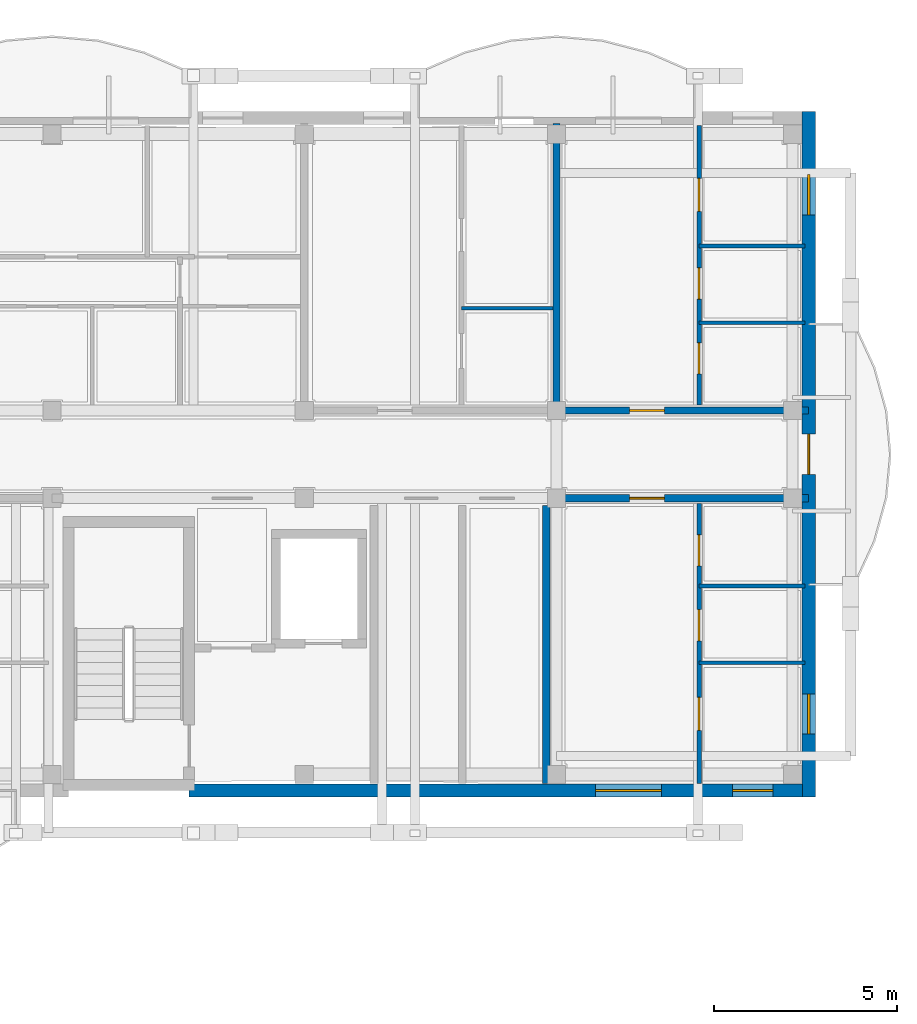
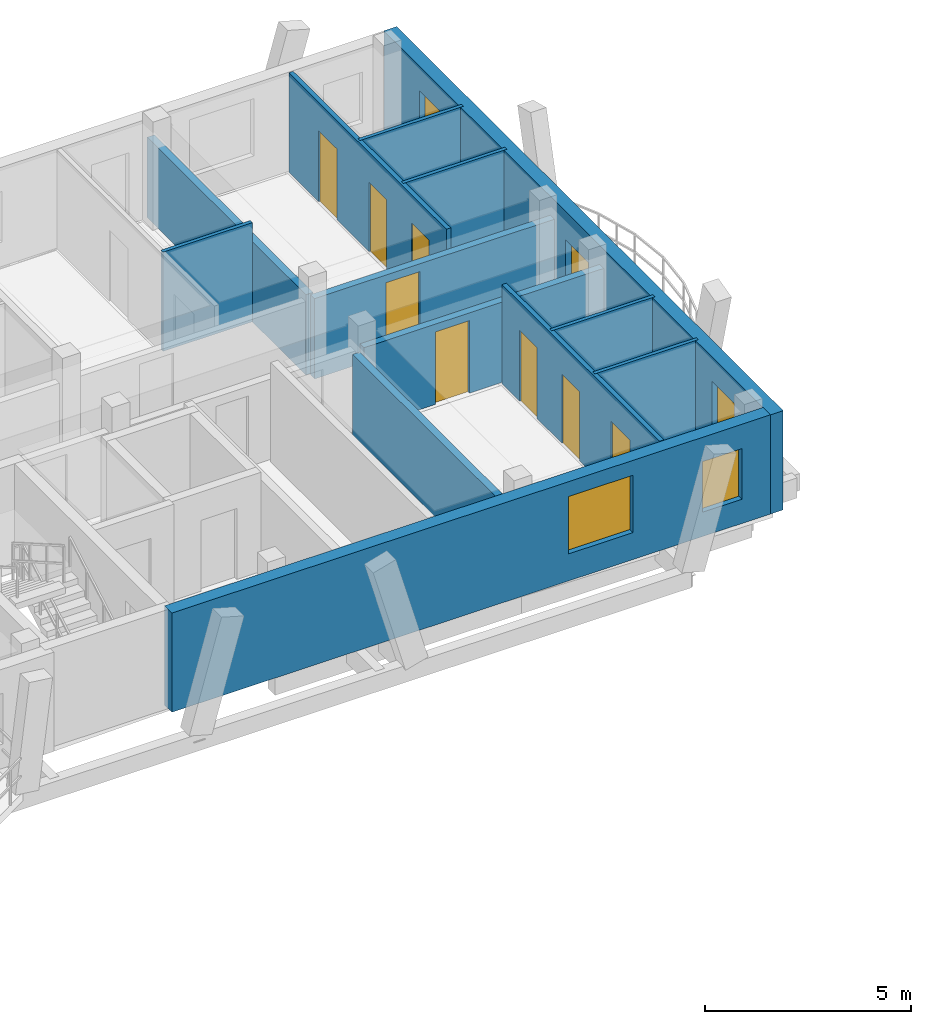
# One storey, part 85 of 109: 13 walls, 9 doors, 4 windows, 13 openings.
"""IFC4 building model written with IfcOpenShell, lengths in metres."""

from ifc_helpers import new_model, si_unit, direction, frame, frame_2d, origin, origin_with_axes, place, context, subcontext, project, spatial, rectangle, extrude, material, layer, layer_set, type_object, element, fill, save


model = new_model("IFC4")

# Units and contexts
model_context = context("Model", 3, precision=1e-05, world=origin(), true_north=direction((0.0, 1.0)))
body_context = subcontext(model_context, "Body", "Model", "MODEL_VIEW")
ifc_project = project(units=[si_unit("LENGTHUNIT", "METRE"), si_unit("AREAUNIT", "SQUARE_METRE"), si_unit("VOLUMEUNIT", "CUBIC_METRE"), si_unit("PLANEANGLEUNIT", "RADIAN"), si_unit("MASSUNIT", "GRAM", prefix="KILO")], contexts=[model_context])

# Site, building, storey
site_placement = place(None, origin())
site = spatial("IfcSite", under=ifc_project, at=site_placement, CompositionType="ELEMENT")
building_placement = place(site_placement, origin())
building = spatial("IfcBuilding", under=site, at=building_placement, Name="Zavelmont Quarter", CompositionType="ELEMENT")
storey_placement = place(building_placement, frame((0.0, 0.0, 8.0)))
storey = spatial("IfcBuildingStorey", under=building, at=storey_placement, Name="L02", CompositionType="ELEMENT", Elevation=8.0)

# Wall, openings, windows
ifc_material_1 = material(Name="Natural Belgian limestone", Category="masonry")
ifc_layer_1 = layer(ifc_material_1, 0.360107421875)
ifc_layer_set_1 = layer_set([ifc_layer_1], Name="Natural Belgian limestone")
wall_type_1 = type_object("IfcWallType", Name="EW02", PredefinedType="STANDARD", material=ifc_layer_set_1)
wall_1_placement = place(storey_placement, frame((151.050048828125, 97.60009765625, 0.0), z_axis=(0.0, 0.0, 1.0), x_axis=(1.0, 0.0, 0.0)))
wall_1 = element("IfcWall", 1, at=wall_1_placement, inside=storey, type_object=wall_type_1, Name="L02 exterior limestone wall EW02", PredefinedType="STANDARD", context=body_context, shape_type="SweptSolid", body=[
    extrude(rectangle(XDim=16.780029296875, YDim=0.360107421875, at=frame_2d((8.39013671875, 0.0))), origin(), (0.0, 0.0, 1.0), 2.93994140625),
])
opening_1_placement = place(wall_1_placement, frame((11.1201171875, 0.0, 0.800048828125)))
opening_1 = element("IfcOpeningElement", 2, at=opening_1_placement, cuts=wall_1, Name="Opening WN02", PredefinedType="OPENING", context=body_context, shape_type="SweptSolid", body=[
    extrude(rectangle(XDim=1.800048828125, YDim=1.699951171875, at=frame_2d((0.89990234375, 0.85009765625))), frame((0.0, 0.19189453125, 0.0), z_axis=(0.0, -1.0, 0.0), x_axis=(1.0, 0.0, 0.0)), (0.0, 0.0, 1.0), 0.384033203125),
])
opening_2_placement = place(wall_1_placement, frame((14.8701171875, 0.0, 0.719970703125)))
opening_2 = element("IfcOpeningElement", 3, at=opening_2_placement, cuts=wall_1, Name="Opening WN09", PredefinedType="OPENING", context=body_context, shape_type="SweptSolid", body=[
    extrude(rectangle(XDim=1.10009765625, YDim=1.5, at=frame_2d((0.550048828125, 0.75))), frame((0.0, 0.19189453125, 0.0), z_axis=(0.0, -1.0, 0.0), x_axis=(1.0, 0.0, 0.0)), (0.0, 0.0, 1.0), 0.384033203125),
])
ifc_material_2 = material(Name="Double low-E insulated glazing in thermally broken aluminium frame", Category="aluminium")
window_type_1 = type_object("IfcWindowType", Name="WN02", PartitioningType="SINGLE_PANEL", PredefinedType="WINDOW", material=ifc_material_2)
window_1_placement = place(opening_1_placement, origin_with_axes())
window_1 = element("IfcWindow", 4, at=window_1_placement, inside=storey, type_object=window_type_1, Name="L02 window WN02", OverallHeight=1.699951171875, OverallWidth=1.800048828125, PartitioningType="SINGLE_PANEL", PredefinedType="WINDOW", context=body_context, shape_type="SweptSolid", body=[
    extrude(rectangle(XDim=1.800048828125, YDim=1.699951171875, at=frame_2d((0.89990234375, 0.85009765625))), frame((0.0, 0.030029296875, 0.0), z_axis=(0.0, -1.0, 0.0), x_axis=(1.0, 0.0, 0.0)), (0.0, 0.0, 1.0), 0.06005859375),
])
fill(opening_1, window_1)
window_type_2 = type_object("IfcWindowType", Name="WN09", PartitioningType="SINGLE_PANEL", PredefinedType="WINDOW", material=ifc_material_2)
window_2_placement = place(opening_2_placement, origin_with_axes())
window_2 = element("IfcWindow", 5, at=window_2_placement, inside=storey, type_object=window_type_2, Name="L02 window WN09", OverallHeight=1.5, OverallWidth=1.10009765625, PartitioningType="SINGLE_PANEL", PredefinedType="WINDOW", context=body_context, shape_type="SweptSolid", body=[
    extrude(rectangle(XDim=1.10009765625, YDim=1.5, at=frame_2d((0.550048828125, 0.75))), frame((0.0, 0.030029296875, 0.0), z_axis=(0.0, -1.0, 0.0), x_axis=(1.0, 0.0, 0.0)), (0.0, 0.0, 1.0), 0.06005859375),
])
fill(opening_2, window_2)

# Wall, openings, door, windows
wall_2_placement = place(storey_placement, frame((168.0, 97.419921875, 0.0), z_axis=(0.0, 0.0, 1.0), x_axis=(0.0, 1.0, 0.0)))
wall_2 = element("IfcWall", 6, at=wall_2_placement, inside=storey, type_object=wall_type_1, Name="L02 exterior limestone wall EW02", PredefinedType="STANDARD", context=body_context, shape_type="SweptSolid", body=[
    extrude(rectangle(XDim=18.760009765625, YDim=0.360107421875, at=frame_2d((9.3798828125, 0.0))), origin(), (0.0, 0.0, 1.0), 2.93994140625),
])
opening_3_placement = place(wall_2_placement, frame((8.830078125, 0.0, 0.0)))
opening_3 = element("IfcOpeningElement", 7, at=opening_3_placement, cuts=wall_2, Name="Opening DR04B", PredefinedType="OPENING", context=body_context, shape_type="SweptSolid", body=[
    extrude(rectangle(XDim=1.10009765625, YDim=2.10009765625, at=frame_2d((0.550048828125, 1.050048828125))), frame((0.0, 0.19189453125, 0.0), z_axis=(0.0, -1.0, 0.0), x_axis=(1.0, 0.0, 0.0)), (0.0, 0.0, 1.0), 0.384033203125),
])
opening_4_placement = place(wall_2_placement, frame((1.72998046875, 0.0, 0.719970703125)))
opening_4 = element("IfcOpeningElement", 8, at=opening_4_placement, cuts=wall_2, Name="Opening WN09", PredefinedType="OPENING", context=body_context, shape_type="SweptSolid", body=[
    extrude(rectangle(XDim=1.10009765625, YDim=1.5, at=frame_2d((0.550048828125, 0.75))), frame((0.0, 0.19189453125, 0.0), z_axis=(0.0, -1.0, 0.0), x_axis=(1.0, 0.0, 0.0)), (0.0, 0.0, 1.0), 0.384033203125),
])
opening_5_placement = place(wall_2_placement, frame((15.929931640625, 0.0, 0.719970703125)))
opening_5 = element("IfcOpeningElement", 9, at=opening_5_placement, cuts=wall_2, Name="Opening WN09", PredefinedType="OPENING", context=body_context, shape_type="SweptSolid", body=[
    extrude(rectangle(XDim=1.10009765625, YDim=1.5, at=frame_2d((0.550048828125, 0.75))), frame((0.0, 0.19189453125, 0.0), z_axis=(0.0, -1.0, 0.0), x_axis=(1.0, 0.0, 0.0)), (0.0, 0.0, 1.0), 0.384033203125),
])
ifc_material_3 = material(Name="Thermally broken aluminium and double safety glass", Category="aluminium")
door_type_1 = type_object("IfcDoorType", Name="DR04B", OperationType="NOTDEFINED", PredefinedType="DOOR", material=ifc_material_3)
door_1_placement = place(opening_3_placement, origin_with_axes())
door_1 = element("IfcDoor", 10, at=door_1_placement, inside=storey, type_object=door_type_1, Name="Block C L02 terrace or vase balcony door", OperationType="SINGLE_SWING_LEFT", OverallHeight=2.10009765625, OverallWidth=1.10009765625, PredefinedType="DOOR", context=body_context, shape_type="SweptSolid", body=[
    extrude(rectangle(XDim=1.10009765625, YDim=2.10009765625, at=frame_2d((0.550048828125, 1.050048828125))), frame((0.0, 0.02490234375, 0.0), z_axis=(0.0, -1.0, 0.0), x_axis=(1.0, 0.0, 0.0)), (0.0, 0.0, 1.0), 0.050048828125),
])
fill(opening_3, door_1)
window_3_placement = place(opening_4_placement, origin_with_axes())
window_3 = element("IfcWindow", 11, at=window_3_placement, inside=storey, type_object=window_type_2, Name="L02 window WN09", OverallHeight=1.5, OverallWidth=1.10009765625, PartitioningType="SINGLE_PANEL", PredefinedType="WINDOW", context=body_context, shape_type="SweptSolid", body=[
    extrude(rectangle(XDim=1.10009765625, YDim=1.5, at=frame_2d((0.550048828125, 0.75))), frame((0.0, 0.030029296875, 0.0), z_axis=(0.0, -1.0, 0.0), x_axis=(1.0, 0.0, 0.0)), (0.0, 0.0, 1.0), 0.06005859375),
])
fill(opening_4, window_3)
window_4_placement = place(opening_5_placement, origin_with_axes())
window_4 = element("IfcWindow", 12, at=window_4_placement, inside=storey, type_object=window_type_2, Name="L02 window WN09", OverallHeight=1.5, OverallWidth=1.10009765625, PartitioningType="SINGLE_PANEL", PredefinedType="WINDOW", context=body_context, shape_type="SweptSolid", body=[
    extrude(rectangle(XDim=1.10009765625, YDim=1.5, at=frame_2d((0.550048828125, 0.75))), frame((0.0, 0.030029296875, 0.0), z_axis=(0.0, -1.0, 0.0), x_axis=(1.0, 0.0, 0.0)), (0.0, 0.0, 1.0), 0.06005859375),
])
fill(opening_5, window_4)

# Walls
ifc_material_4 = material(Name="Calcium-silicate blockwork and acoustic plaster", Category="masonry")
ifc_layer_2 = layer(ifc_material_4, 0.199951171875)
ifc_layer_set_2 = layer_set([ifc_layer_2], Name="Calcium-silicate blockwork and acoustic plaster")
wall_type_2 = type_object("IfcWallType", Name="IW01", PredefinedType="PARTITIONING", material=ifc_layer_set_2)
wall_3_placement = place(storey_placement, frame((160.820068359375, 97.800048828125, 0.0), z_axis=(0.0, 0.0, 1.0), x_axis=(0.0, 1.0, 0.0)))
element("IfcWall", 13, at=wall_3_placement, inside=storey, type_object=wall_type_2, Name="L02 Core service end wall IW01", PredefinedType="PARTITIONING", context=body_context, shape_type="SweptSolid", body=[
    extrude(rectangle(XDim=7.599853515625, YDim=0.199951171875, at=frame_2d((3.7998046875, 0.0))), origin(), (0.0, 0.0, 1.0), 2.3798828125),
])
wall_4_placement = place(storey_placement, frame((161.10009765625, 108.14990234375, 0.0), z_axis=(0.0, 0.0, 1.0), x_axis=(0.0, 1.0, 0.0)))
element("IfcWall", 14, at=wall_4_placement, inside=storey, type_object=wall_type_2, Name="L02 Inter-dwelling compartment wall IW01", PredefinedType="PARTITIONING", context=body_context, shape_type="SweptSolid", body=[
    extrude(rectangle(XDim=7.7001953125, YDim=0.199951171875, at=frame_2d((3.85009765625, 0.0))), origin(), (0.0, 0.0, 1.0), 2.3798828125),
])

# Wall, opening, door
wall_5_placement = place(storey_placement, frame((161.10009765625, 108.0, 0.0), z_axis=(0.0, 0.0, 1.0), x_axis=(1.0, 0.0, 0.0)))
wall_5 = element("IfcWall", 15, at=wall_5_placement, inside=storey, type_object=wall_type_2, Name="L02 Corridor compartment wall IW01", PredefinedType="PARTITIONING", context=body_context, shape_type="SweptSolid", body=[
    extrude(rectangle(XDim=6.89990234375, YDim=0.199951171875, at=frame_2d((3.449951171875, 0.0))), origin(), (0.0, 0.0, 1.0), 2.3798828125),
])
opening_6_placement = place(wall_5_placement, frame((2.0, 0.0, 0.0)))
opening_6 = element("IfcOpeningElement", 16, at=opening_6_placement, cuts=wall_5, Name="Opening DR02", PredefinedType="OPENING", context=body_context, shape_type="SweptSolid", body=[
    extrude(rectangle(XDim=0.949951171875, YDim=2.14990234375, at=frame_2d((0.47509765625, 1.074951171875))), frame((0.0, 0.11181640625, 0.0), z_axis=(0.0, -1.0, 0.0), x_axis=(1.0, 0.0, 0.0)), (0.0, 0.0, 1.0), 0.223876953125),
])
ifc_material_5 = material(Name="Solid-core oak fire leaf in steel frame", Category="steel")
door_type_2 = type_object("IfcDoorType", Name="DR02", OperationType="NOTDEFINED", PredefinedType="DOOR", material=ifc_material_5)
door_2_placement = place(opening_6_placement, origin_with_axes())
door_2 = element("IfcDoor", 17, at=door_2_placement, inside=storey, type_object=door_type_2, Name="L02 door DR02", OperationType="SINGLE_SWING_LEFT", OverallHeight=2.14990234375, OverallWidth=0.949951171875, PredefinedType="DOOR", context=body_context, shape_type="SweptSolid", body=[
    extrude(rectangle(XDim=0.949951171875, YDim=2.14990234375, at=frame_2d((0.47509765625, 1.074951171875))), frame((0.0, 0.02490234375, 0.0), z_axis=(0.0, -1.0, 0.0), x_axis=(1.0, 0.0, 0.0)), (0.0, 0.0, 1.0), 0.050048828125),
])
fill(opening_6, door_2)

wall_6_placement = place(storey_placement, frame((161.10009765625, 105.60009765625, 0.0), z_axis=(0.0, 0.0, 1.0), x_axis=(1.0, 0.0, 0.0)))
wall_6 = element("IfcWall", 18, at=wall_6_placement, inside=storey, type_object=wall_type_2, Name="L02 Corridor compartment wall IW01", PredefinedType="PARTITIONING", context=body_context, shape_type="SweptSolid", body=[
    extrude(rectangle(XDim=6.89990234375, YDim=0.199951171875, at=frame_2d((3.449951171875, 0.0))), origin(), (0.0, 0.0, 1.0), 2.3798828125),
])
opening_7_placement = place(wall_6_placement, frame((2.0, 0.0, 0.0)))
opening_7 = element("IfcOpeningElement", 19, at=opening_7_placement, cuts=wall_6, Name="Opening DR02", PredefinedType="OPENING", context=body_context, shape_type="SweptSolid", body=[
    extrude(rectangle(XDim=0.949951171875, YDim=2.14990234375, at=frame_2d((0.47509765625, 1.074951171875))), frame((0.0, 0.11181640625, 0.0), z_axis=(0.0, -1.0, 0.0), x_axis=(1.0, 0.0, 0.0)), (0.0, 0.0, 1.0), 0.223876953125),
])
door_3_placement = place(opening_7_placement, frame((0.949951171875, 0.0, 0.0), z_axis=(0.0, 0.0, 1.0), x_axis=(-1.0, 0.0, 0.0)))
door_3 = element("IfcDoor", 20, at=door_3_placement, inside=storey, type_object=door_type_2, Name="L02 door DR02", OperationType="SINGLE_SWING_RIGHT", OverallHeight=2.14990234375, OverallWidth=0.949951171875, PredefinedType="DOOR", context=body_context, shape_type="SweptSolid", body=[
    extrude(rectangle(XDim=0.949951171875, YDim=2.14990234375, at=frame_2d((0.47509765625, 1.074951171875))), frame((0.0, 0.02490234375, 0.0), z_axis=(0.0, -1.0, 0.0), x_axis=(1.0, 0.0, 0.0)), (0.0, 0.0, 1.0), 0.050048828125),
])
fill(opening_7, door_3)

# Wall, openings, doors
ifc_material_6 = material(Name="Double gypsum board on acoustic steel stud", Category="steel")
ifc_layer_3 = layer(ifc_material_6, 0.125)
ifc_layer_set_3 = layer_set([ifc_layer_3], Name="Double gypsum board on acoustic steel stud")
wall_type_3 = type_object("IfcWallType", Name="IW03", PredefinedType="PARTITIONING", material=ifc_layer_set_3)
wall_7_placement = place(storey_placement, frame((165.0, 108.14990234375, 0.0), z_axis=(0.0, 0.0, 1.0), x_axis=(0.0, 1.0, 0.0)))
wall_7 = element("IfcWall", 21, at=wall_7_placement, inside=storey, type_object=wall_type_3, Name="L02 Partition IW03", PredefinedType="PARTITIONING", context=body_context, shape_type="SweptSolid", body=[
    extrude(rectangle(XDim=7.650146484375, YDim=0.125, at=frame_2d((3.8251953125, 0.0))), origin(), (0.0, 0.0, 1.0), 2.93994140625),
])
opening_8_placement = place(wall_7_placement, frame((0.85009765625, 0.0, 0.0)))
opening_8 = element("IfcOpeningElement", 22, at=opening_8_placement, cuts=wall_7, Name="Opening DR16", PredefinedType="OPENING", context=body_context, shape_type="SweptSolid", body=[
    extrude(rectangle(XDim=0.85009765625, YDim=2.10009765625, at=frame_2d((0.425048828125, 1.050048828125))), frame((0.0, 0.074462890625, 0.0), z_axis=(0.0, -1.0, 0.0), x_axis=(1.0, 0.0, 0.0)), (0.0, 0.0, 1.0), 0.14892578125),
])
opening_9_placement = place(wall_7_placement, frame((2.89990234375, 0.0, 0.0)))
opening_9 = element("IfcOpeningElement", 23, at=opening_9_placement, cuts=wall_7, Name="Opening DR06", PredefinedType="OPENING", context=body_context, shape_type="SweptSolid", body=[
    extrude(rectangle(XDim=0.85009765625, YDim=2.050048828125, at=frame_2d((0.425048828125, 1.02490234375))), frame((0.0, 0.074462890625, 0.0), z_axis=(0.0, -1.0, 0.0), x_axis=(1.0, 0.0, 0.0)), (0.0, 0.0, 1.0), 0.14892578125),
])
opening_10_placement = place(wall_7_placement, frame((5.300048828125, 0.0, 0.0)))
opening_10 = element("IfcOpeningElement", 24, at=opening_10_placement, cuts=wall_7, Name="Opening DR05", PredefinedType="OPENING", context=body_context, shape_type="SweptSolid", body=[
    extrude(rectangle(XDim=0.89990234375, YDim=2.10009765625, at=frame_2d((0.449951171875, 1.050048828125))), frame((0.0, 0.074462890625, 0.0), z_axis=(0.0, -1.0, 0.0), x_axis=(1.0, 0.0, 0.0)), (0.0, 0.0, 1.0), 0.14892578125),
])
ifc_material_7 = material(Name="Engineered oak flush interior door")
door_type_3 = type_object("IfcDoorType", Name="DR05", OperationType="NOTDEFINED", PredefinedType="DOOR", material=ifc_material_7)
door_4_placement = place(opening_10_placement, origin_with_axes())
door_4 = element("IfcDoor", 25, at=door_4_placement, inside=storey, type_object=door_type_3, Name="L02 door DR05", OperationType="SINGLE_SWING_LEFT", OverallHeight=2.10009765625, OverallWidth=0.89990234375, PredefinedType="DOOR", context=body_context, shape_type="SweptSolid", body=[
    extrude(rectangle(XDim=0.89990234375, YDim=2.10009765625, at=frame_2d((0.449951171875, 1.050048828125))), frame((0.0, 0.02490234375, 0.0), z_axis=(0.0, -1.0, 0.0), x_axis=(1.0, 0.0, 0.0)), (0.0, 0.0, 1.0), 0.050048828125),
])
fill(opening_10, door_4)
ifc_material_8 = material(Name="Moisture-resistant painted wet-room door")
door_type_4 = type_object("IfcDoorType", Name="DR06", OperationType="NOTDEFINED", PredefinedType="DOOR", material=ifc_material_8)
door_5_placement = place(opening_9_placement, frame((0.85009765625, 0.0, 0.0), z_axis=(0.0, 0.0, 1.0), x_axis=(-1.0, 0.0, 0.0)))
door_5 = element("IfcDoor", 26, at=door_5_placement, inside=storey, type_object=door_type_4, Name="L02 door DR06", OperationType="SINGLE_SWING_RIGHT", OverallHeight=2.050048828125, OverallWidth=0.85009765625, PredefinedType="DOOR", context=body_context, shape_type="SweptSolid", body=[
    extrude(rectangle(XDim=0.85009765625, YDim=2.050048828125, at=frame_2d((0.425048828125, 1.02490234375))), frame((0.0, 0.02490234375, 0.0), z_axis=(0.0, -1.0, 0.0), x_axis=(1.0, 0.0, 0.0)), (0.0, 0.0, 1.0), 0.050048828125),
])
fill(opening_9, door_5)
door_type_5 = type_object("IfcDoorType", Name="DR16", OperationType="NOTDEFINED", PredefinedType="DOOR", material=ifc_material_7)
door_6_placement = place(opening_8_placement, origin_with_axes())
door_6 = element("IfcDoor", 27, at=door_6_placement, inside=storey, type_object=door_type_5, Name="L02 door DR16", OperationType="SINGLE_SWING_LEFT", OverallHeight=2.10009765625, OverallWidth=0.85009765625, PredefinedType="DOOR", context=body_context, shape_type="SweptSolid", body=[
    extrude(rectangle(XDim=0.85009765625, YDim=2.10009765625, at=frame_2d((0.425048828125, 1.050048828125))), frame((0.0, 0.02490234375, 0.0), z_axis=(0.0, -1.0, 0.0), x_axis=(1.0, 0.0, 0.0)), (0.0, 0.0, 1.0), 0.050048828125),
])
fill(opening_8, door_6)

wall_8_placement = place(storey_placement, frame((165.0, 105.449951171875, 0.0), z_axis=(0.0, 0.0, 1.0), x_axis=(0.0, -1.0, 0.0)))
wall_8 = element("IfcWall", 28, at=wall_8_placement, inside=storey, type_object=wall_type_3, Name="L02 Partition IW03", PredefinedType="PARTITIONING", context=body_context, shape_type="SweptSolid", body=[
    extrude(rectangle(XDim=7.64990234375, YDim=0.125, at=frame_2d((3.824951171875, 0.0))), origin(), (0.0, 0.0, 1.0), 2.93994140625),
])
opening_11_placement = place(wall_8_placement, frame((0.85009765625, 0.0, 0.0)))
opening_11 = element("IfcOpeningElement", 29, at=opening_11_placement, cuts=wall_8, Name="Opening DR16", PredefinedType="OPENING", context=body_context, shape_type="SweptSolid", body=[
    extrude(rectangle(XDim=0.85009765625, YDim=2.10009765625, at=frame_2d((0.425048828125, 1.050048828125))), frame((0.0, 0.074462890625, 0.0), z_axis=(0.0, -1.0, 0.0), x_axis=(1.0, 0.0, 0.0)), (0.0, 0.0, 1.0), 0.14892578125),
])
opening_12_placement = place(wall_8_placement, frame((2.89990234375, 0.0, 0.0)))
opening_12 = element("IfcOpeningElement", 30, at=opening_12_placement, cuts=wall_8, Name="Opening DR06", PredefinedType="OPENING", context=body_context, shape_type="SweptSolid", body=[
    extrude(rectangle(XDim=0.85009765625, YDim=2.050048828125, at=frame_2d((0.425048828125, 1.02490234375))), frame((0.0, 0.074462890625, 0.0), z_axis=(0.0, -1.0, 0.0), x_axis=(1.0, 0.0, 0.0)), (0.0, 0.0, 1.0), 0.14892578125),
])
opening_13_placement = place(wall_8_placement, frame((5.300048828125, 0.0, 0.0)))
opening_13 = element("IfcOpeningElement", 31, at=opening_13_placement, cuts=wall_8, Name="Opening DR05", PredefinedType="OPENING", context=body_context, shape_type="SweptSolid", body=[
    extrude(rectangle(XDim=0.89990234375, YDim=2.10009765625, at=frame_2d((0.449951171875, 1.050048828125))), frame((0.0, 0.074462890625, 0.0), z_axis=(0.0, -1.0, 0.0), x_axis=(1.0, 0.0, 0.0)), (0.0, 0.0, 1.0), 0.14892578125),
])
door_7_placement = place(opening_13_placement, frame((0.89990234375, 0.0, 0.0), z_axis=(0.0, 0.0, 1.0), x_axis=(-1.0, 0.0, 0.0)))
door_7 = element("IfcDoor", 32, at=door_7_placement, inside=storey, type_object=door_type_3, Name="L02 door DR05", OperationType="SINGLE_SWING_RIGHT", OverallHeight=2.10009765625, OverallWidth=0.89990234375, PredefinedType="DOOR", context=body_context, shape_type="SweptSolid", body=[
    extrude(rectangle(XDim=0.89990234375, YDim=2.10009765625, at=frame_2d((0.449951171875, 1.050048828125))), frame((0.0, 0.02490234375, 0.0), z_axis=(0.0, -1.0, 0.0), x_axis=(1.0, 0.0, 0.0)), (0.0, 0.0, 1.0), 0.050048828125),
])
fill(opening_13, door_7)
door_8_placement = place(opening_12_placement, origin_with_axes())
door_8 = element("IfcDoor", 33, at=door_8_placement, inside=storey, type_object=door_type_4, Name="L02 door DR06", OperationType="SINGLE_SWING_LEFT", OverallHeight=2.050048828125, OverallWidth=0.85009765625, PredefinedType="DOOR", context=body_context, shape_type="SweptSolid", body=[
    extrude(rectangle(XDim=0.85009765625, YDim=2.050048828125, at=frame_2d((0.425048828125, 1.02490234375))), frame((0.0, 0.02490234375, 0.0), z_axis=(0.0, -1.0, 0.0), x_axis=(1.0, 0.0, 0.0)), (0.0, 0.0, 1.0), 0.050048828125),
])
fill(opening_12, door_8)
door_9_placement = place(opening_11_placement, frame((0.85009765625, 0.0, 0.0), z_axis=(0.0, 0.0, 1.0), x_axis=(-1.0, 0.0, 0.0)))
door_9 = element("IfcDoor", 34, at=door_9_placement, inside=storey, type_object=door_type_5, Name="L02 door DR16", OperationType="SINGLE_SWING_RIGHT", OverallHeight=2.10009765625, OverallWidth=0.85009765625, PredefinedType="DOOR", context=body_context, shape_type="SweptSolid", body=[
    extrude(rectangle(XDim=0.85009765625, YDim=2.10009765625, at=frame_2d((0.425048828125, 1.050048828125))), frame((0.0, 0.02490234375, 0.0), z_axis=(0.0, -1.0, 0.0), x_axis=(1.0, 0.0, 0.0)), (0.0, 0.0, 1.0), 0.050048828125),
])
fill(opening_11, door_9)

# Walls
ifc_material_9 = material(Name="Moisture-resistant gypsum board on steel stud", Category="steel")
ifc_layer_4 = layer(ifc_material_9, 0.10009765625)
ifc_layer_set_4 = layer_set([ifc_layer_4], Name="Moisture-resistant gypsum board on steel stud")
wall_type_4 = type_object("IfcWallType", Name="IW04", PredefinedType="PARTITIONING", material=ifc_layer_set_4)
wall_9_placement = place(storey_placement, frame((158.5, 110.800048828125, 0.0), z_axis=(0.0, 0.0, 1.0), x_axis=(1.0, 0.0, 0.0)))
element("IfcWall", 35, at=wall_9_placement, inside=storey, type_object=wall_type_4, Name="L02 Partition IW04", PredefinedType="PARTITIONING", context=body_context, shape_type="SweptSolid", body=[
    extrude(rectangle(XDim=2.5, YDim=0.10009765625, at=frame_2d((1.25, 0.0))), origin(), (0.0, 0.0, 1.0), 2.93994140625),
])
for number, where, z_axis, x_axis, name in (
    (36, (165.0, 110.39990234375, 0.0), (0.0, 0.0, 1.0), (1.0, 0.0, 0.0), "L02 Partition IW04"),
    (37, (165.0, 112.5, 0.0), (0.0, 0.0, 1.0), (1.0, 0.0, 0.0), "L02 Partition IW04"),
    (38, (165.0, 103.199951171875, 0.0), (0.0, 0.0, 1.0), (1.0, 0.0, 0.0), "L02 Partition IW04"),
    (39, (165.0, 101.10009765625, 0.0), (0.0, 0.0, 1.0), (1.0, 0.0, 0.0), "L02 Partition IW04"),
):
    element("IfcWall", number, at=place(storey_placement, frame(where, z_axis=z_axis, x_axis=x_axis)), inside=storey, type_object=wall_type_4, Name=name, PredefinedType="PARTITIONING", context=body_context, shape_type="SweptSolid", body=[
        extrude(rectangle(XDim=2.89990234375, YDim=0.10009765625, at=frame_2d((1.449951171875, 0.0))), origin(), (0.0, 0.0, 1.0), 2.93994140625),
    ])

save(model, "model.ifc")
